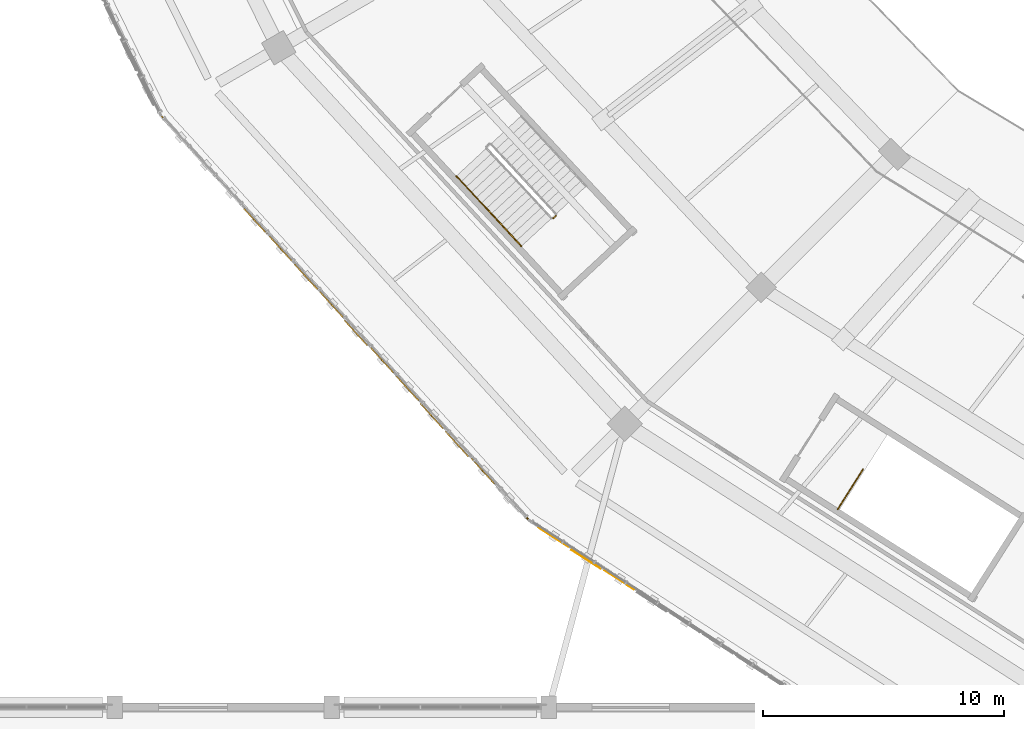
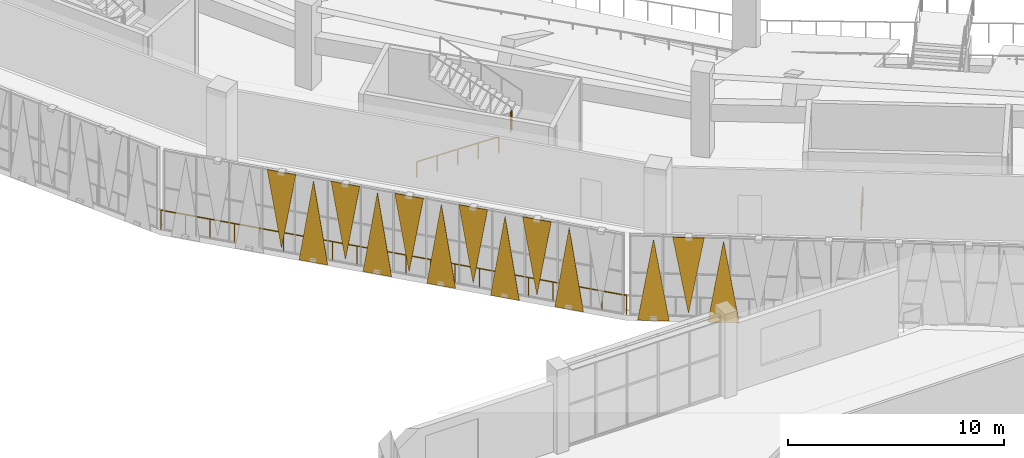
# One storey, part 112 of 152: 13 coverings, 4 railings.
"""IFC4 building model written with IfcOpenShell, lengths in metres."""

import ifcopenshell
import ifcopenshell.guid

model = None  # the IFC model being written
_history = None  # IfcOwnerHistory: only IFC2X3 demands one
_inside = {}  # id of a spatial element -> (the spatial element, [elements in it])
_under = {}  # id of a project, library or spatial element -> (it, [spatial elements below it])
_declared = {}  # id of a project -> (the project, [libraries it declares])
_typed = {}  # id of a type object -> (the type object, [elements of that type])
_made_of = {}  # id of a material, layer set ... -> (it, [elements and type objects made of it])


def new_model(schema):
    """Start an empty IFC model of exactly this schema.

    Asked for "IFC4X3", IfcOpenShell would pick the latest addendum, in which some entities
    have other attributes; the version numbers below select the first issue.
    IFC2X3 requires an IfcOwnerHistory on every rooted entity: one is made here for all.
    """
    global model, _history
    if schema == "IFC4X3":
        model = ifcopenshell.file(schema_version=(4, 3, 0, 0))
    else:
        model = ifcopenshell.file(schema=schema)
    _inside.clear()
    _under.clear()
    _declared.clear()
    _typed.clear()
    _made_of.clear()
    _history = None
    if model.schema == "IFC2X3":
        org = make("IfcOrganization", Name="unknown")
        user = make(
            "IfcPersonAndOrganization",
            ThePerson=make("IfcPerson", FamilyName="unknown"),
            TheOrganization=org,
        )
        app = make(
            "IfcApplication",
            ApplicationDeveloper=org,
            Version="unknown",
            ApplicationFullName="unknown",
            ApplicationIdentifier="unknown",
        )
        _history = make(
            "IfcOwnerHistory",
            OwningUser=user,
            OwningApplication=app,
            ChangeAction="ADDED",
            CreationDate=0,
        )
    return model


def make(cls, **values):
    """One entity of the class cls with the attributes given. An attribute that is None is left unset."""
    return model.create_entity(
        cls, **{name: value for name, value in values.items() if value is not None}
    )


def rooted(cls, **values):
    """An entity with a GlobalId (a new one), such as an element, a storey or a relation."""
    return make(cls, GlobalId=ifcopenshell.guid.new(), OwnerHistory=_history, **values)


def si_unit(unit_type, name, prefix=None):
    """IfcSIUnit, for example si_unit("LENGTHUNIT", "METRE", prefix="MILLI")."""
    return make("IfcSIUnit", UnitType=unit_type, Prefix=prefix, Name=name)


def assignment(units):
    """IfcUnitAssignment: the units of a project."""
    return None if units is None else make("IfcUnitAssignment", Units=units)


def point(xyz):
    """IfcCartesianPoint."""
    return None if xyz is None else make("IfcCartesianPoint", Coordinates=xyz)


def direction(xyz):
    """IfcDirection."""
    return None if xyz is None else make("IfcDirection", DirectionRatios=xyz)


def frame(location, z_axis=None, x_axis=None):
    """IfcAxis2Placement3D, a coordinate frame: its origin and axes. An axis left out is left unset."""
    return make(
        "IfcAxis2Placement3D",
        Location=point(location),
        Axis=direction(z_axis),
        RefDirection=direction(x_axis),
    )


def frame_2d(location, x_axis=None):
    """IfcAxis2Placement2D, a coordinate frame in the plane: its origin and x axis."""
    return make(
        "IfcAxis2Placement2D", Location=point(location), RefDirection=direction(x_axis)
    )


def origin():
    """The frame at (0, 0, 0) with its axes left unset."""
    return frame((0.0, 0.0, 0.0))


def origin_2d():
    """The frame at (0, 0) in the plane with its x axis left unset."""
    return frame_2d((0.0, 0.0))


def place(relative_to, where):
    """IfcLocalPlacement: puts the frame where relative to a parent placement (None: the world)."""
    return make(
        "IfcLocalPlacement", PlacementRelTo=relative_to, RelativePlacement=where
    )


def context(
    kind, dimensions, precision=None, world=None, true_north=None, identifier=None
):
    """IfcGeometricRepresentationContext, for example the 3D "Model" context."""
    return make(
        "IfcGeometricRepresentationContext",
        ContextIdentifier=identifier,
        ContextType=kind,
        CoordinateSpaceDimension=dimensions,
        Precision=precision,
        WorldCoordinateSystem=world,
        TrueNorth=true_north,
    )


def subcontext(parent, identifier, kind, view, scale=None):
    """IfcGeometricRepresentationSubContext, for example "Body" below "Model"."""
    return make(
        "IfcGeometricRepresentationSubContext",
        ContextIdentifier=identifier,
        ContextType=kind,
        ParentContext=parent,
        TargetScale=scale,
        TargetView=view,
    )


def project(units=None, contexts=None):
    """IfcProject with its units and contexts."""
    return rooted(
        "IfcProject",
        Name="project",
        RepresentationContexts=contexts,
        UnitsInContext=assignment(units),
    )


def spatial(cls, under=None, at=None, **own):
    """A site, building, storey or space (cls), placed at a placement, below another one or the project."""
    s = rooted(cls, ObjectPlacement=at, **own)
    if under is not None:
        _under.setdefault(under.id(), (under, []))[1].append(s)
    return s


def polyline(points):
    """IfcPolyline through the points."""
    return make("IfcPolyline", Points=[point(p) for p in points])


def profile(cls, at=None, kind="AREA", **sizes):
    """A parametric profile (cls). Its sizes go by their IFC names, for example OverallWidth=200.0."""
    return make(cls, ProfileType=kind, Position=at, **sizes)


def circle(**sizes):
    """IfcCircleProfileDef."""
    return profile("IfcCircleProfileDef", **sizes)


def outline(outer, holes=None, kind="AREA"):
    """IfcArbitraryClosedProfileDef: a profile drawn as a closed curve; with holes, ...WithVoids."""
    if holes is None:
        return make("IfcArbitraryClosedProfileDef", ProfileType=kind, OuterCurve=outer)
    return make(
        "IfcArbitraryProfileDefWithVoids",
        ProfileType=kind,
        OuterCurve=outer,
        InnerCurves=holes,
    )


def extrude(swept, where, along, depth):
    """IfcExtrudedAreaSolid: the profile swept, set in the frame where, extruded along a direction by depth."""
    return make(
        "IfcExtrudedAreaSolid",
        SweptArea=swept,
        Position=where,
        ExtrudedDirection=direction(along),
        Depth=depth,
    )


def shape(context_of_items, identifier, shape_type, items):
    """IfcShapeRepresentation: the items that make up one representation, for example the "Body"."""
    return make(
        "IfcShapeRepresentation",
        ContextOfItems=context_of_items,
        RepresentationIdentifier=identifier,
        RepresentationType=shape_type,
        Items=items,
    )


def material(Name=None, Category=None):
    """IfcMaterial."""
    return make("IfcMaterial", Name=Name, Category=Category)


def layer(
    of_material, thickness, ventilated=None, Name=None, Category=None, Priority=None
):
    """IfcMaterialLayer: one layer of a wall or slab, of a material (None: an air gap)."""
    return make(
        "IfcMaterialLayer",
        Material=of_material,
        LayerThickness=thickness,
        IsVentilated=ventilated,
        Name=Name,
        Category=Category,
        Priority=Priority,
    )


def layer_set(layers, Name=None):
    """IfcMaterialLayerSet."""
    return make("IfcMaterialLayerSet", MaterialLayers=layers, LayerSetName=Name)


def made_of(thing, what):
    """Note that an element or type object is made of a material, layer set ...; save() writes the relation."""
    if what is not None:
        _made_of.setdefault(what.id(), (what, []))[1].append(thing)
    return thing


def type_object(cls, material=None, **own):
    """A type object (cls), such as IfcWallType, which elements share."""
    return made_of(rooted(cls, **own), material)


def element(
    cls,
    number,
    at=None,
    inside=None,
    cuts=None,
    type_object=None,
    material=None,
    context=None,
    identifier="Body",
    shape_type=None,
    held_by="IfcProductDefinitionShape",
    body=None,
    shapes=None,
    **own,
):
    """One element of the class cls, such as IfcWall. Its Tag is "e" and its number.

    at: its placement. inside: the storey or other place that contains it. cuts: it is an
    opening in that element (IfcRelVoidsElement). A single representation is given by context,
    identifier, shape_type and body (its items); several are given by shapes. held_by: the class
    of the entity that holds the representations. save() writes the other relations.
    """
    e = rooted(cls, Tag="e%d" % number, ObjectPlacement=at, **own)
    if body is not None:
        shapes = [shape(context, identifier, shape_type, body)]
    if shapes is not None:
        e.Representation = make(held_by, Representations=shapes)
    if inside is not None:
        _inside.setdefault(inside.id(), (inside, []))[1].append(e)
    if cuts is not None:
        rooted(
            "IfcRelVoidsElement", RelatingBuildingElement=cuts, RelatedOpeningElement=e
        )
    if type_object is not None:
        _typed.setdefault(type_object.id(), (type_object, []))[1].append(e)
    return made_of(e, material)


def aggregate(whole, parts):
    """IfcRelAggregates: a whole, such as a stair, and the parts it consists of."""
    return rooted("IfcRelAggregates", RelatingObject=whole, RelatedObjects=parts)


def save(model, path):
    """Write the relations noted so far, then the file.

    IfcRelAggregates (storeys below a building ...), IfcRelContainedInSpatialStructure (elements
    in a storey), IfcRelDefinesByType, IfcRelAssociatesMaterial and IfcRelDeclares: one each for
    every whole, place, type object, material and project.
    """
    for whole, parts in _under.values():
        aggregate(whole, parts)
    for where, things in _inside.values():
        rooted(
            "IfcRelContainedInSpatialStructure",
            RelatedElements=things,
            RelatingStructure=where,
        )
    for kind, things in _typed.values():
        rooted("IfcRelDefinesByType", RelatedObjects=things, RelatingType=kind)
    for what, things in _made_of.values():
        rooted("IfcRelAssociatesMaterial", RelatedObjects=things, RelatingMaterial=what)
    for by, libraries in _declared.values():
        rooted("IfcRelDeclares", RelatingContext=by, RelatedDefinitions=libraries)
    model.write(path)


model = new_model("IFC4")

# Units and contexts
model_context = context("Model", 3, precision=1e-05, world=origin(), true_north=direction((0.0, 1.0)))
body_context = subcontext(model_context, "Body", "Model", "MODEL_VIEW")
ifc_project = project(units=[si_unit("LENGTHUNIT", "METRE"), si_unit("AREAUNIT", "SQUARE_METRE"), si_unit("VOLUMEUNIT", "CUBIC_METRE"), si_unit("PLANEANGLEUNIT", "RADIAN"), si_unit("MASSUNIT", "GRAM", prefix="KILO")], contexts=[model_context])

# Site, building, storey
site_placement = place(None, origin())
site = spatial("IfcSite", under=ifc_project, at=site_placement, CompositionType="ELEMENT")
building_placement = place(site_placement, origin())
building = spatial("IfcBuilding", under=site, at=building_placement, Name="Zevraka Park Crest Stadium", CompositionType="ELEMENT")
storey_placement = place(building_placement, frame((0.0, 0.0, 15.0)))
storey = spatial("IfcBuildingStorey", under=building, at=storey_placement, Name="L03", CompositionType="ELEMENT", Elevation=15.0)

# Coverings
ifc_material_1 = material(Name="Architectural golden-bronze perforated aluminium", Category="aluminium")
ifc_layer = layer(ifc_material_1, 0.034912109375)
ifc_layer_set = layer_set([ifc_layer], Name="Architectural golden-bronze perforated aluminium")
covering_type = type_object("IfcCoveringType", Name="CLD01", PredefinedType="CLADDING", material=ifc_layer_set)
covering_1_placement = place(storey_placement, frame((33.297119140625, 46.623046875, 4.52001953125), z_axis=(-0.73988468063, -0.672733719306, 4.7726743e-05), x_axis=(-0.672733720072, 0.739884681473, 0.0)))
element("IfcCovering", 1, at=covering_1_placement, inside=storey, type_object=covering_type, Name="Triangular Golden-Bronze Perforated Cladding L03-14-4", PredefinedType="CLADDING", context=body_context, shape_type="SweptSolid", body=[
    extrude(outline(polyline([(0.0, 0.0), (1.3961080831123893, -6.776263578034403e-21), (0.6987355994962312, 4.300048833022416), (0.0, 0.0)])), origin(), (0.0, 0.0, -1.0), 0.034912109375),
])
covering_2_placement = place(storey_placement, frame((33.404052734375, 46.5048828125, -0.260009765625), z_axis=(-0.739654962675, -0.672986275479, 9.5952392e-05), x_axis=(0.672986278577, -0.73965496608, 0.0)))
element("IfcCovering", 2, at=covering_2_placement, inside=storey, type_object=covering_type, Name="Triangular Golden-Bronze Perforated Cladding L03-14-5", PredefinedType="CLADDING", context=body_context, shape_type="SweptSolid", body=[
    extrude(outline(polyline([(0.0, 0.0), (1.3952213791572479, 1.3552527156068805e-20), (0.6978490062471088, 4.62011720876839), (0.0, 0.0)])), origin(), (0.0, 0.0, -1.0), 0.034912109375),
])
covering_3_placement = place(storey_placement, frame((35.389892578125, 44.322021484375, 4.52001953125), z_axis=(-0.73965496215, -0.672986275001, 0.000103094479), x_axis=(-0.672986278577, 0.73965496608, 0.0)))
element("IfcCovering", 3, at=covering_3_placement, inside=storey, type_object=covering_type, Name="Triangular Golden-Bronze Perforated Cladding L03-14-6", PredefinedType="CLADDING", context=body_context, shape_type="SweptSolid", body=[
    extrude(outline(polyline([(0.0, 0.0), (1.3952213791572479, 0.0), (0.6978490062471088, 4.300048850976475), (0.0, 0.0)])), origin(), (0.0, 0.0, -1.0), 0.034912109375),
])
covering_4_placement = place(storey_placement, frame((35.4970703125, 44.2041015625, -0.260009765625), z_axis=(-0.740050840869, -0.67255092958, 7.133789e-06), x_axis=(0.672550929597, -0.740050840888, 0.0)))
element("IfcCovering", 4, at=covering_4_placement, inside=storey, type_object=covering_type, Name="Triangular Golden-Bronze Perforated Cladding L03-14-7", PredefinedType="CLADDING", context=body_context, shape_type="SweptSolid", body=[
    extrude(outline(polyline([(0.0, 0.0), (1.396124519986748, 0.0), (0.6987520069516184, 4.620117187617561), (0.0, 0.0)])), origin(), (0.0, 0.0, -1.0), 0.034912109375),
])
covering_5_placement = place(storey_placement, frame((37.48291015625, 42.02001953125, 4.52001953125), z_axis=(0.739971727346, 0.672637972908, 1.1449014e-05), x_axis=(-0.672637972952, 0.739971727395, 0.0)))
element("IfcCovering", 5, at=covering_5_placement, inside=storey, type_object=covering_type, Name="Triangular Golden-Bronze Perforated Cladding L03-14-8", PredefinedType="CLADDING", context=body_context, shape_type="SweptSolid", body=[
    extrude(outline(polyline([(0.0, 0.0), (1.3959438531687058, 1.6940658945086007e-21), (0.6987520059946044, -4.300048828406826), (0.0, 0.0)])), origin(), (0.0, 0.0, -1.0), 0.034912109375),
])
covering_6_placement = place(storey_placement, frame((37.590087890625, 41.902099609375, -0.260009765625), z_axis=(-0.739654964732, -0.67298627735, 6.0389811e-05), x_axis=(0.672986278577, -0.73965496608, 0.0)))
element("IfcCovering", 6, at=covering_6_placement, inside=storey, type_object=covering_type, Name="Triangular Golden-Bronze Perforated Cladding L03-14-9", PredefinedType="CLADDING", context=body_context, shape_type="SweptSolid", body=[
    extrude(outline(polyline([(0.0, 0.0), (1.3952213791572479, 0.0), (0.6980295860728118, 4.620117195924622), (0.0, 0.0)])), origin(), (0.0, 0.0, -1.0), 0.034912109375),
])
covering_7_placement = place(storey_placement, frame((39.575927734375, 39.718994140625, 4.52001953125), z_axis=(-0.739654964523, -0.67298627716, 6.4884846e-05), x_axis=(-0.672986278577, 0.73965496608, 0.0)))
element("IfcCovering", 7, at=covering_7_placement, inside=storey, type_object=covering_type, Name="Triangular Golden-Bronze Perforated Cladding L03-14-10", PredefinedType="CLADDING", context=body_context, shape_type="SweptSolid", body=[
    extrude(outline(polyline([(0.0, 0.0), (1.3952213791572479, 6.776263578034403e-21), (0.6980295860728118, 4.300048837176696), (0.0, 0.0)])), origin(), (0.0, 0.0, -1.0), 0.034912109375),
])
covering_8_placement = place(storey_placement, frame((39.68310546875, 39.60107421875, -0.260009765625), z_axis=(0.739971727353, 0.672637972914, 1.0655859e-05), x_axis=(0.672637972952, -0.739971727395, 0.0)))
element("IfcCovering", 8, at=covering_8_placement, inside=storey, type_object=covering_type, Name="Triangular Golden-Bronze Perforated Cladding L03-14-11", PredefinedType="CLADDING", context=body_context, shape_type="SweptSolid", body=[
    extrude(outline(polyline([(0.0, 0.0), (1.3959438531687058, -2.541098841762901e-21), (0.6987520059946044, -4.620117187762301), (0.0, 0.0)])), origin(), (0.0, 0.0, -1.0), 0.034912109375),
])
covering_9_placement = place(storey_placement, frame((41.66796875, 37.41796875, 4.52001953125), z_axis=(0.740003442239, 0.672603081401, 1.9093939e-05), x_axis=(-0.672603081524, 0.740003442374, 0.0)))
element("IfcCovering", 9, at=covering_9_placement, inside=storey, type_object=covering_type, Name="Triangular Golden-Bronze Perforated Cladding L03-14-12", PredefinedType="CLADDING", context=body_context, shape_type="SweptSolid", body=[
    extrude(outline(polyline([(0.0, 0.0), (1.394564353058445, 1.6940658945086007e-21), (0.6973725089806841, -4.300048828908853), (0.0, 0.0)])), origin(), (0.0, 0.0, -1.0), 0.034912109375),
])
covering_10_placement = place(storey_placement, frame((41.77587890625, 37.299072265625, -0.260009765625), z_axis=(-0.739567864941, -0.673081991112, 7.9918551e-05), x_axis=(0.673081993261, -0.739567867303, 0.0)))
element("IfcCovering", 10, at=covering_10_placement, inside=storey, type_object=covering_type, Name="Triangular Golden-Bronze Perforated Cladding L03-14-13", PredefinedType="CLADDING", context=body_context, shape_type="SweptSolid", body=[
    extrude(outline(polyline([(0.0, 0.0), (1.3953856941325256, 0.0), (0.698193942993217, 4.620117202254288), (0.0, 0.0)])), origin(), (0.0, 0.0, -1.0), 0.034912109375),
])
covering_11_placement = place(storey_placement, frame((44.56298828125, 34.43603515625, -0.260009765625), z_axis=(-0.54371325202, -0.839271052215, 2.2174779e-05), x_axis=(0.839271052422, -0.543713252153, 0.0)))
element("IfcCovering", 11, at=covering_11_placement, inside=storey, type_object=covering_type, Name="Triangular Golden-Bronze Perforated Cladding L03-15-1", PredefinedType="CLADDING", context=body_context, shape_type="SweptSolid", body=[
    extrude(outline(polyline([(0.0, 0.0), (1.467861414015771, -1.6940658945086007e-21), (0.7338643357612847, 4.620117188635904), (0.0, 0.0)])), origin(), (0.0, 0.0, -1.0), 0.034912109375),
])
covering_12_placement = place(storey_placement, frame((47.160888671875, 32.75390625, 4.52001953125), z_axis=(0.543244375425, 0.839574615128, 0.000119169735), x_axis=(-0.83957462109, 0.543244379282, 0.0)))
element("IfcCovering", 12, at=covering_12_placement, inside=storey, type_object=covering_type, Name="Triangular Golden-Bronze Perforated Cladding L03-15-2", PredefinedType="CLADDING", context=body_context, shape_type="SweptSolid", body=[
    extrude(outline(polyline([(0.0, 0.0), (1.4673306729433993, 0.0), (0.7339969065274139, -4.300048858658413), (0.0, 0.0)])), origin(), (0.0, 0.0, -1.0), 0.034912109375),
])
covering_13_placement = place(storey_placement, frame((47.294921875, 32.6669921875, -0.260009765625), z_axis=(-0.543637363062, -0.839320211494, 7.812377e-06), x_axis=(0.839320211519, -0.543637363078, 0.0)))
element("IfcCovering", 13, at=covering_13_placement, inside=storey, type_object=covering_type, Name="Triangular Golden-Bronze Perforated Cladding L03-15-3", PredefinedType="CLADDING", context=body_context, shape_type="SweptSolid", body=[
    extrude(outline(polyline([(0.0, 0.0), (1.4680663201763386, 0.0), (0.733864342024864, 4.62011718764099), (0.0, 0.0)])), origin(), (0.0, 0.0, -1.0), 0.034912109375),
])

# Railings
ifc_material_2 = material(Name="Galvanised and bronze-finished steel balustrade", Category="steel")
railing_type_1 = type_object("IfcRailingType", Name="GR01", PredefinedType="GUARDRAIL", material=ifc_material_2)
railing_1_placement = place(storey_placement, frame((44.1640625, 34.778076171875, 0.0)))
element("IfcRailing", 14, at=railing_1_placement, inside=storey, type_object=railing_type_1, Name="Deck Edge Protection Guardrail GR01 L03-44", PredefinedType="GUARDRAIL", context=body_context, shape_type="SweptSolid", body=[
    extrude(circle(Radius=0.02392578125, at=origin_2d()), frame((0.0, 0.0, 1.076171875), z_axis=(-0.672817591136, 0.739808413752, 0.0), x_axis=(-0.739808413752, -0.672817591136, 0.0)), (0.0, 0.0, 1.0), 22.6572265625),
    extrude(circle(Radius=0.02099609375, at=origin_2d()), origin(), (0.0, 0.0, 1.0), 1.052001953125),
    extrude(circle(Radius=0.02099609375, at=origin_2d()), frame((-0.80224609375, 0.88232421875, 0.0)), (0.0, 0.0, 1.0), 1.052001953125),
    extrude(circle(Radius=0.02099609375, at=origin_2d()), frame((-1.604736328125, 1.764404296875, 0.0)), (0.0, 0.0, 1.0), 1.052001953125),
    extrude(circle(Radius=0.02099609375, at=origin_2d()), frame((-2.406982421875, 2.646728515625, 0.0)), (0.0, 0.0, 1.0), 1.052001953125),
    extrude(circle(Radius=0.02099609375, at=origin_2d()), frame((-3.209228515625, 3.52880859375, 0.0)), (0.0, 0.0, 1.0), 1.052001953125),
    extrude(circle(Radius=0.02099609375, at=origin_2d()), frame((-4.01171875, 4.4111328125, 0.0)), (0.0, 0.0, 1.0), 1.052001953125),
    extrude(circle(Radius=0.02099609375, at=origin_2d()), frame((-4.81396484375, 5.293212890625, 0.0)), (0.0, 0.0, 1.0), 1.052001953125),
    extrude(circle(Radius=0.02099609375, at=origin_2d()), frame((-5.6162109375, 6.175537109375, 0.0)), (0.0, 0.0, 1.0), 1.052001953125),
    extrude(circle(Radius=0.02099609375, at=origin_2d()), frame((-6.418701171875, 7.0576171875, 0.0)), (0.0, 0.0, 1.0), 1.052001953125),
    extrude(circle(Radius=0.02099609375, at=origin_2d()), frame((-7.220947265625, 7.93994140625, 0.0)), (0.0, 0.0, 1.0), 1.052001953125),
    extrude(circle(Radius=0.02099609375, at=origin_2d()), frame((-8.023193359375, 8.822021484375, 0.0)), (0.0, 0.0, 1.0), 1.052001953125),
    extrude(circle(Radius=0.02099609375, at=origin_2d()), frame((-8.825439453125, 9.704345703125, 0.0)), (0.0, 0.0, 1.0), 1.052001953125),
    extrude(circle(Radius=0.02099609375, at=origin_2d()), frame((-9.6279296875, 10.58642578125, 0.0)), (0.0, 0.0, 1.0), 1.052001953125),
    extrude(circle(Radius=0.02099609375, at=origin_2d()), frame((-10.43017578125, 11.46875, 0.0)), (0.0, 0.0, 1.0), 1.052001953125),
    extrude(circle(Radius=0.02099609375, at=origin_2d()), frame((-11.232421875, 12.350830078125, 0.0)), (0.0, 0.0, 1.0), 1.052001953125),
    extrude(circle(Radius=0.02099609375, at=origin_2d()), frame((-12.034912109375, 13.233154296875, 0.0)), (0.0, 0.0, 1.0), 1.052001953125),
    extrude(circle(Radius=0.02099609375, at=origin_2d()), frame((-12.837158203125, 14.115234375, 0.0)), (0.0, 0.0, 1.0), 1.052001953125),
    extrude(circle(Radius=0.02099609375, at=origin_2d()), frame((-13.639404296875, 14.99755859375, 0.0)), (0.0, 0.0, 1.0), 1.052001953125),
    extrude(circle(Radius=0.02099609375, at=origin_2d()), frame((-14.44189453125, 15.879638671875, 0.0)), (0.0, 0.0, 1.0), 1.052001953125),
    extrude(circle(Radius=0.02099609375, at=origin_2d()), frame((-15.244140625, 16.761962890625, 0.0)), (0.0, 0.0, 1.0), 1.052001953125),
])
ifc_material_3 = material(Name="Powder-coated tubular steel stairwell guard", Category="steel")
railing_type_2 = type_object("IfcRailingType", Name="GR03", PredefinedType="GUARDRAIL", material=ifc_material_3)
railing_2_placement = place(storey_placement, frame((45.17822265625, 47.273193359375, 2.39990234375)))
element("IfcRailing", 15, at=railing_2_placement, inside=storey, type_object=railing_type_2, Name="L03 ST15 stair guard 2", PredefinedType="GUARDRAIL", context=body_context, shape_type="SweptSolid", body=[
    extrude(circle(Radius=0.02392578125, at=origin_2d()), frame((0.0, 0.0, 1.076171875), z_axis=(0.732576022975, 0.680685221348, 0.0), x_axis=(-0.680685221348, 0.732576022975, 0.0)), (0.0, 0.0, 1.0), 0.159912109375),
    extrude(circle(Radius=0.02099609375, at=origin_2d()), origin(), (0.0, 0.0, 1.0), 1.052001953125),
    extrude(circle(Radius=0.02099609375, at=origin_2d()), frame((0.1171875, 0.10888671875, 0.0)), (0.0, 0.0, 1.0), 1.052001953125),
])
railing_3_placement = place(storey_placement, frame((56.97265625, 35.20654296875, 0.0)))
element("IfcRailing", 16, at=railing_3_placement, inside=storey, type_object=railing_type_2, Name="L03 ST16 top well guard 1", PredefinedType="GUARDRAIL", context=body_context, shape_type="SweptSolid", body=[
    extrude(circle(Radius=0.02392578125, at=origin_2d()), frame((0.0, 0.0, 1.076171875), z_axis=(0.535730515973, 0.844389018317, 0.0), x_axis=(-0.844389018317, 0.535730515973, 0.0)), (0.0, 0.0, 1.0), 1.9599609375),
    extrude(circle(Radius=0.02099609375, at=origin_2d()), origin(), (0.0, 0.0, 1.0), 1.052001953125),
    extrude(circle(Radius=0.02099609375, at=origin_2d()), frame((0.52490234375, 0.82763671875, 0.0)), (0.0, 0.0, 1.0), 1.052001953125),
    extrude(circle(Radius=0.02099609375, at=origin_2d()), frame((1.050048828125, 1.655029296875, 0.0)), (0.0, 0.0, 1.0), 1.052001953125),
])
ifc_material_4 = material(Name="Brushed stainless steel continuous handrail", Category="steel")
railing_type_3 = type_object("IfcRailingType", Name="HR01", PredefinedType="HANDRAIL", material=ifc_material_4)
railing_4_placement = place(storey_placement, frame((41.164306640625, 49.025634765625, 0.17138671875)))
element("IfcRailing", 17, at=railing_4_placement, inside=storey, type_object=railing_type_3, Name="L03 ST15 stair handrail 1", PredefinedType="HANDRAIL", context=body_context, shape_type="SweptSolid", body=[
    extrude(circle(Radius=0.02392578125, at=origin_2d()), frame((0.0, 0.0, 0.8759765625), z_axis=(0.593016024023, -0.638962957094, 0.489957482557), x_axis=(0.732968909084, 0.680262139412, 0.0)), (0.0, 0.0, 1.0), 4.54833984375),
    extrude(circle(Radius=0.02099609375, at=origin_2d()), origin(), (0.0, 0.0, 1.0), 0.851806640625),
    extrude(circle(Radius=0.02099609375, at=origin_2d()), frame((0.67431640625, -0.7265625, 0.55712890625)), (0.0, 0.0, 1.0), 0.851806640625),
    extrude(circle(Radius=0.02099609375, at=origin_2d()), frame((1.3486328125, -1.453125, 1.1142578125)), (0.0, 0.0, 1.0), 0.851806640625),
    extrude(circle(Radius=0.02099609375, at=origin_2d()), frame((2.02294921875, -2.1796875, 1.67138671875)), (0.0, 0.0, 1.0), 0.851806640625),
    extrude(circle(Radius=0.02099609375, at=origin_2d()), frame((2.697265625, -2.90625, 2.228515625)), (0.0, 0.0, 1.0), 0.851806640625),
])

save(model, "model.ifc")
